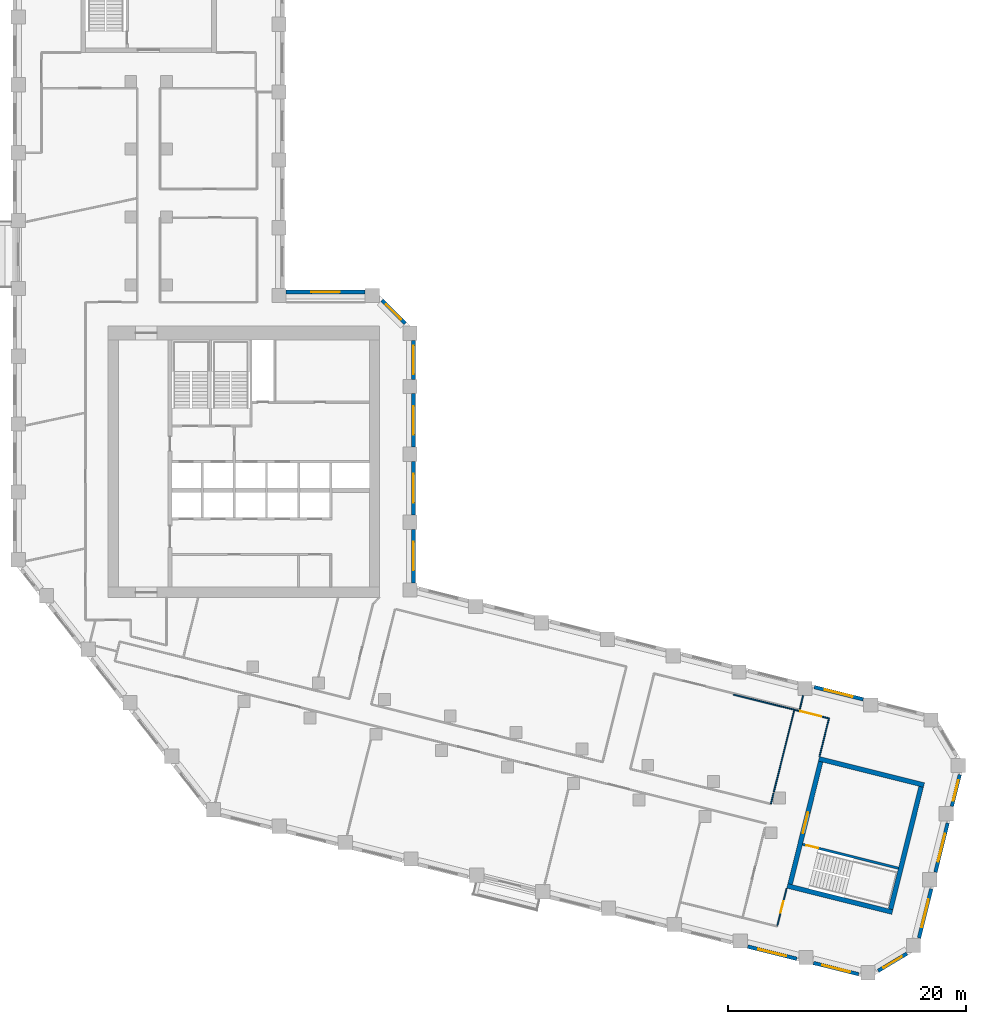
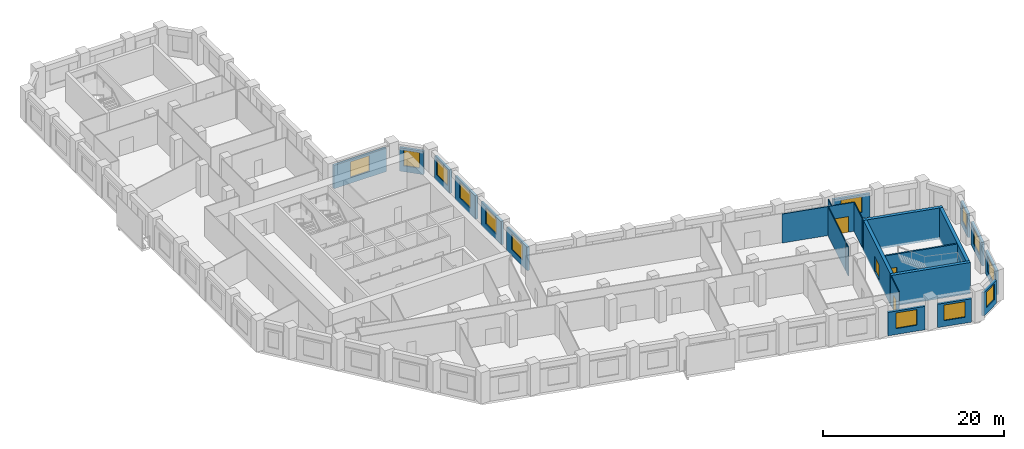
# One storey, part 6 of 10: 25 walls, 13 windows, 4 doors, 17 openings.
"""IFC4 building model written with IfcOpenShell, lengths in metres."""

from ifc_helpers import new_model, si_unit, direction, frame, frame_2d, origin, place, context, subcontext, project, spatial, rectangle, extrude, material, layer, layer_set, type_object, element, fill, save


model = new_model("IFC4")

# Units and contexts
model_context = context("Model", 3, precision=1e-05, world=origin(), true_north=direction((0.0, 1.0)))
body_context = subcontext(model_context, "Body", "Model", "MODEL_VIEW")
ifc_project = project(units=[si_unit("LENGTHUNIT", "METRE"), si_unit("AREAUNIT", "SQUARE_METRE"), si_unit("VOLUMEUNIT", "CUBIC_METRE"), si_unit("PLANEANGLEUNIT", "RADIAN"), si_unit("MASSUNIT", "GRAM", prefix="KILO")], contexts=[model_context])

# Site, building, storey
site_placement = place(None, origin())
site = spatial("IfcSite", under=ifc_project, at=site_placement, CompositionType="ELEMENT")
building_placement = place(site_placement, origin())
building = spatial("IfcBuilding", under=site, at=building_placement, Name="Meshkara Civic Tower", CompositionType="ELEMENT")
storey_placement = place(building_placement, frame((0.0, 0.0, 182.39990234375)))
storey = spatial("IfcBuildingStorey", under=building, at=storey_placement, Name="L41", CompositionType="ELEMENT", Elevation=182.39990234375)

# Wall
ifc_material_1 = material(Name="Corridor wall 100")
ifc_layer_1 = layer(ifc_material_1, 0.10009765625)
ifc_layer_set_1 = layer_set([ifc_layer_1], Name="Corridor wall 100")
wall_type_1 = type_object("IfcWallType", Name="Corridor wall 100", PredefinedType="PARTITIONING", material=ifc_layer_set_1)
wall_1_placement = place(storey_placement, frame((63.89501953125, -2.37109375, 0.0), z_axis=(0.0, 0.0, 1.0), x_axis=(-0.241969389514, -0.970283883478, 0.0)))
element("IfcWall", 1, at=wall_1_placement, inside=storey, type_object=wall_type_1, Name="L41-W037", PredefinedType="PARTITIONING", context=body_context, shape_type="SweptSolid", body=[
    extrude(rectangle(XDim=0.9130859375, YDim=0.10009765625, at=frame_2d((0.45654296875, 0.0))), origin(), (0.0, 0.0, 1.0), 3.900146484375),
])

# Wall, opening, door
wall_2_placement = place(storey_placement, frame((64.202880859375, -13.533935546875, 0.0), z_axis=(0.0, 0.0, 1.0), x_axis=(0.241856645367, 0.970311992656, 0.0)))
wall_2 = element("IfcWall", 2, at=wall_2_placement, inside=storey, type_object=wall_type_1, Name="L41-W038", PredefinedType="PARTITIONING", context=body_context, shape_type="SweptSolid", body=[
    extrude(rectangle(XDim=3.2998046875, YDim=0.10009765625, at=frame_2d((1.64990234375, 0.0))), origin(), (0.0, 0.0, 1.0), 3.900146484375),
])
opening_1_placement = place(wall_2_placement, frame((1.179931640625, 0.0, 0.0)))
opening_1 = element("IfcOpeningElement", 3, at=opening_1_placement, cuts=wall_2, Name="Opening L41-D002", PredefinedType="OPENING", context=body_context, shape_type="SweptSolid", body=[
    extrude(rectangle(XDim=1.0, YDim=2.10009765625, at=frame_2d((0.5, 1.050048828125))), frame((0.0, 0.06005859375, 0.0), z_axis=(0.0, -1.0, 0.0), x_axis=(1.0, 0.0, 0.0)), (0.0, 0.0, 1.0), 0.1201171875),
])
ifc_material_2 = material(Name="Door 1000 x 2100")
door_type_1 = type_object("IfcDoorType", Name="Door 1000 x 2100", OperationType="SINGLE_SWING_LEFT", PredefinedType="DOOR", material=ifc_material_2)
door_1_placement = place(opening_1_placement, origin())
door_1 = element("IfcDoor", 4, at=door_1_placement, inside=storey, type_object=door_type_1, Name="L41-D002", OperationType="SINGLE_SWING_LEFT", OverallHeight=2.10009765625, OverallWidth=1.0, PredefinedType="DOOR", context=body_context, shape_type="SweptSolid", body=[
    extrude(rectangle(XDim=1.0, YDim=2.10009765625, at=frame_2d((0.5, 1.050048828125))), frame((0.0, 0.02490234375, 0.0), z_axis=(0.0, -1.0, 0.0), x_axis=(1.0, 0.0, 0.0)), (0.0, 0.0, 1.0), 0.050048828125),
])
fill(opening_1, door_1)

# Walls
wall_3_placement = place(storey_placement, frame((65.64697265625, 4.656982421875, 0.0), z_axis=(0.0, 0.0, 1.0), x_axis=(-0.24192324031, -0.970295391001, 0.0)))
element("IfcWall", 5, at=wall_3_placement, inside=storey, type_object=wall_type_1, Name="L41-W039", PredefinedType="PARTITIONING", context=body_context, shape_type="SweptSolid", body=[
    extrude(rectangle(XDim=7.129638671875, YDim=0.10009765625, at=frame_2d((3.56494140625, 0.0))), origin(), (0.0, 0.0, 1.0), 3.900146484375),
])
wall_4_placement = place(storey_placement, frame((66.0869140625, 4.64990234375, 0.0), z_axis=(0.0, 0.0, 1.0), x_axis=(0.241275920452, 0.970456557611, 0.0)))
element("IfcWall", 6, at=wall_4_placement, inside=storey, type_object=wall_type_1, Name="L41-W040", PredefinedType="PARTITIONING", context=body_context, shape_type="SweptSolid", body=[
    extrude(rectangle(XDim=1.2314453125, YDim=0.10009765625, at=frame_2d((0.61572265625, 0.0))), origin(), (0.0, 0.0, 1.0), 3.900146484375),
])
wall_5_placement = place(storey_placement, frame((67.759033203125, 0.72900390625, 0.0), z_axis=(0.0, 0.0, 1.0), x_axis=(0.241786986316, 0.970329352977, 0.0)))
element("IfcWall", 7, at=wall_5_placement, inside=storey, type_object=wall_type_1, Name="L41-W041", PredefinedType="PARTITIONING", context=body_context, shape_type="SweptSolid", body=[
    extrude(rectangle(XDim=3.2998046875, YDim=0.10009765625, at=frame_2d((1.64990234375, 0.0))), origin(), (0.0, 0.0, 1.0), 3.900146484375),
])

# Wall, opening, door
wall_6_placement = place(storey_placement, frame((68.556884765625, 3.930908203125, 0.0), z_axis=(0.0, 0.0, 1.0), x_axis=(-0.970252534748, 0.242095061527, 0.0)))
wall_6 = element("IfcWall", 8, at=wall_6_placement, inside=storey, type_object=wall_type_1, Name="L41-W042", PredefinedType="PARTITIONING", context=body_context, shape_type="SweptSolid", body=[
    extrude(rectangle(XDim=2.9990234375, YDim=0.10009765625, at=frame_2d((1.49951171875, 0.0))), origin(), (0.0, 0.0, 1.0), 3.900146484375),
])
opening_2_placement = place(wall_6_placement, frame((0.679931640625, 0.0, 0.0)))
opening_2 = element("IfcOpeningElement", 9, at=opening_2_placement, cuts=wall_6, Name="Opening L41-D008", PredefinedType="OPENING", context=body_context, shape_type="SweptSolid", body=[
    extrude(rectangle(XDim=1.800048828125, YDim=2.10009765625, at=frame_2d((0.89990234375, 1.050048828125))), frame((0.0, 0.06005859375, 0.0), z_axis=(0.0, -1.0, 0.0), x_axis=(1.0, 0.0, 0.0)), (0.0, 0.0, 1.0), 0.1201171875),
])
ifc_material_3 = material(Name="Door pair 1800 x 2100")
door_type_2 = type_object("IfcDoorType", Name="Door pair 1800 x 2100", OperationType="SINGLE_SWING_LEFT", PredefinedType="DOOR", material=ifc_material_3)
door_2_placement = place(opening_2_placement, origin())
door_2 = element("IfcDoor", 10, at=door_2_placement, inside=storey, type_object=door_type_2, Name="L41-D008", OperationType="DOUBLE_DOOR_SINGLE_SWING", OverallHeight=2.10009765625, OverallWidth=1.800048828125, PredefinedType="DOOR", context=body_context, shape_type="SweptSolid", body=[
    extrude(rectangle(XDim=1.800048828125, YDim=2.10009765625, at=frame_2d((0.89990234375, 1.050048828125))), frame((0.0, 0.02490234375, 0.0), z_axis=(0.0, -1.0, 0.0), x_axis=(1.0, 0.0, 0.0)), (0.0, 0.0, 1.0), 0.050048828125),
])
fill(opening_2, door_2)

# Wall, opening, window
ifc_material_4 = material(Name="Insulated infill panel with bronze anodised aluminium cladding", Category="aluminium")
ifc_layer_2 = layer(ifc_material_4, 0.300048828125)
ifc_layer_set_2 = layer_set([ifc_layer_2], Name="EXTERNAL INFILL WALL 300")
wall_type_2 = type_object("IfcWallType", Name="EXTERNAL INFILL WALL 300", PredefinedType="SOLIDWALL", material=ifc_layer_set_2)
wall_7_placement = place(storey_placement, frame((71.431884765625, 5.532958984375, 0.0), z_axis=(0.0, 0.0, 1.0), x_axis=(-0.970301260502, 0.241899697951, 0.0)))
wall_7 = element("IfcWall", 11, at=wall_7_placement, inside=storey, type_object=wall_type_2, Name="External wall", PredefinedType="SOLIDWALL", context=body_context, shape_type="SweptSolid", body=[
    extrude(rectangle(XDim=4.24609375, YDim=0.300048828125, at=frame_2d((2.123046875, 0.0))), origin(), (0.0, 0.0, 1.0), 3.150146484375),
])
opening_3_placement = place(wall_7_placement, frame((0.923095703125, 0.0, 0.800048828125)))
opening_3 = element("IfcOpeningElement", 12, at=opening_3_placement, cuts=wall_7, Name="Opening W7", PredefinedType="OPENING", context=body_context, shape_type="SweptSolid", body=[
    extrude(rectangle(XDim=2.39990234375, YDim=2.10009765625, at=frame_2d((1.199951171875, 1.050048828125))), frame((0.0, 0.159912109375, 0.0), z_axis=(0.0, -1.0, 0.0), x_axis=(1.0, 0.0, 0.0)), (0.0, 0.0, 1.0), 0.320068359375),
])
ifc_material_5 = material(Name="Tinted double glazing", Category="glass")
window_type_1 = type_object("IfcWindowType", Name="WINDOW 2400x2100", PartitioningType="DOUBLE_PANEL_VERTICAL", PredefinedType="WINDOW", material=ifc_material_5)
window_1_placement = place(opening_3_placement, origin())
window_1 = element("IfcWindow", 13, at=window_1_placement, inside=storey, type_object=window_type_1, Name="Window", OverallHeight=2.10009765625, OverallWidth=2.39990234375, PartitioningType="DOUBLE_PANEL_VERTICAL", PredefinedType="WINDOW", context=body_context, shape_type="SweptSolid", body=[
    extrude(rectangle(XDim=2.39990234375, YDim=2.10009765625, at=frame_2d((1.199951171875, 1.050048828125))), frame((0.0, 0.030029296875, 0.0), z_axis=(0.0, -1.0, 0.0), x_axis=(1.0, 0.0, 0.0)), (0.0, 0.0, 1.0), 0.06005859375),
])
fill(opening_3, window_1)

wall_8_placement = place(storey_placement, frame((33.64990234375, 15.319091796875, 0.0), z_axis=(0.0, 0.0, 1.0), x_axis=(0.0, 1.0, 0.0)))
wall_8 = element("IfcWall", 14, at=wall_8_placement, inside=storey, type_object=wall_type_2, Name="External wall", PredefinedType="SOLIDWALL", context=body_context, shape_type="SweptSolid", body=[
    extrude(rectangle(XDim=4.5, YDim=0.300048828125, at=frame_2d((2.25, 0.0))), origin(), (0.0, 0.0, 1.0), 3.150146484375),
])
opening_4_placement = place(wall_8_placement, frame((1.050048828125, 0.0, 0.800048828125)))
opening_4 = element("IfcOpeningElement", 15, at=opening_4_placement, cuts=wall_8, Name="Opening W7", PredefinedType="OPENING", context=body_context, shape_type="SweptSolid", body=[
    extrude(rectangle(XDim=2.39990234375, YDim=2.10009765625, at=frame_2d((1.199951171875, 1.050048828125))), frame((0.0, 0.159912109375, 0.0), z_axis=(0.0, -1.0, 0.0), x_axis=(1.0, 0.0, 0.0)), (0.0, 0.0, 1.0), 0.320068359375),
])
window_2_placement = place(opening_4_placement, origin())
window_2 = element("IfcWindow", 16, at=window_2_placement, inside=storey, type_object=window_type_1, Name="Window", OverallHeight=2.10009765625, OverallWidth=2.39990234375, PartitioningType="DOUBLE_PANEL_VERTICAL", PredefinedType="WINDOW", context=body_context, shape_type="SweptSolid", body=[
    extrude(rectangle(XDim=2.39990234375, YDim=2.10009765625, at=frame_2d((1.199951171875, 1.050048828125))), frame((0.0, 0.030029296875, 0.0), z_axis=(0.0, -1.0, 0.0), x_axis=(1.0, 0.0, 0.0)), (0.0, 0.0, 1.0), 0.06005859375),
])
fill(opening_4, window_2)

wall_9_placement = place(storey_placement, frame((33.64990234375, 21.01904296875, 0.0), z_axis=(0.0, 0.0, 1.0), x_axis=(0.0, 1.0, 0.0)))
wall_9 = element("IfcWall", 17, at=wall_9_placement, inside=storey, type_object=wall_type_2, Name="External wall", PredefinedType="SOLIDWALL", context=body_context, shape_type="SweptSolid", body=[
    extrude(rectangle(XDim=4.5, YDim=0.300048828125, at=frame_2d((2.25, 0.0))), origin(), (0.0, 0.0, 1.0), 3.150146484375),
])
opening_5_placement = place(wall_9_placement, frame((1.050048828125, 0.0, 0.800048828125)))
opening_5 = element("IfcOpeningElement", 18, at=opening_5_placement, cuts=wall_9, Name="Opening W7", PredefinedType="OPENING", context=body_context, shape_type="SweptSolid", body=[
    extrude(rectangle(XDim=2.39990234375, YDim=2.10009765625, at=frame_2d((1.199951171875, 1.050048828125))), frame((0.0, 0.159912109375, 0.0), z_axis=(0.0, -1.0, 0.0), x_axis=(1.0, 0.0, 0.0)), (0.0, 0.0, 1.0), 0.320068359375),
])
window_3_placement = place(opening_5_placement, origin())
window_3 = element("IfcWindow", 19, at=window_3_placement, inside=storey, type_object=window_type_1, Name="Window", OverallHeight=2.10009765625, OverallWidth=2.39990234375, PartitioningType="DOUBLE_PANEL_VERTICAL", PredefinedType="WINDOW", context=body_context, shape_type="SweptSolid", body=[
    extrude(rectangle(XDim=2.39990234375, YDim=2.10009765625, at=frame_2d((1.199951171875, 1.050048828125))), frame((0.0, 0.030029296875, 0.0), z_axis=(0.0, -1.0, 0.0), x_axis=(1.0, 0.0, 0.0)), (0.0, 0.0, 1.0), 0.06005859375),
])
fill(opening_5, window_3)

wall_10_placement = place(storey_placement, frame((33.64990234375, 26.718994140625, 0.0), z_axis=(0.0, 0.0, 1.0), x_axis=(0.0, 1.0, 0.0)))
wall_10 = element("IfcWall", 20, at=wall_10_placement, inside=storey, type_object=wall_type_2, Name="External wall", PredefinedType="SOLIDWALL", context=body_context, shape_type="SweptSolid", body=[
    extrude(rectangle(XDim=4.5, YDim=0.300048828125, at=frame_2d((2.25, 0.0))), origin(), (0.0, 0.0, 1.0), 3.150146484375),
])
opening_6_placement = place(wall_10_placement, frame((1.050048828125, 0.0, 0.800048828125)))
opening_6 = element("IfcOpeningElement", 21, at=opening_6_placement, cuts=wall_10, Name="Opening W7", PredefinedType="OPENING", context=body_context, shape_type="SweptSolid", body=[
    extrude(rectangle(XDim=2.39990234375, YDim=2.10009765625, at=frame_2d((1.199951171875, 1.050048828125))), frame((0.0, 0.159912109375, 0.0), z_axis=(0.0, -1.0, 0.0), x_axis=(1.0, 0.0, 0.0)), (0.0, 0.0, 1.0), 0.320068359375),
])
window_4_placement = place(opening_6_placement, origin())
window_4 = element("IfcWindow", 22, at=window_4_placement, inside=storey, type_object=window_type_1, Name="Window", OverallHeight=2.10009765625, OverallWidth=2.39990234375, PartitioningType="DOUBLE_PANEL_VERTICAL", PredefinedType="WINDOW", context=body_context, shape_type="SweptSolid", body=[
    extrude(rectangle(XDim=2.39990234375, YDim=2.10009765625, at=frame_2d((1.199951171875, 1.050048828125))), frame((0.0, 0.030029296875, 0.0), z_axis=(0.0, -1.0, 0.0), x_axis=(1.0, 0.0, 0.0)), (0.0, 0.0, 1.0), 0.06005859375),
])
fill(opening_6, window_4)

wall_11_placement = place(storey_placement, frame((33.64990234375, 32.4189453125, 0.0), z_axis=(0.0, 0.0, 1.0), x_axis=(0.0, 1.0, 0.0)))
wall_11 = element("IfcWall", 23, at=wall_11_placement, inside=storey, type_object=wall_type_2, Name="External wall", PredefinedType="SOLIDWALL", context=body_context, shape_type="SweptSolid", body=[
    extrude(rectangle(XDim=3.275146484375, YDim=0.300048828125, at=frame_2d((1.6376953125, 0.0))), origin(), (0.0, 0.0, 1.0), 3.150146484375),
])
opening_7_placement = place(wall_11_placement, frame((0.43798828125, 0.0, 0.800048828125)))
opening_7 = element("IfcOpeningElement", 24, at=opening_7_placement, cuts=wall_11, Name="Opening W7", PredefinedType="OPENING", context=body_context, shape_type="SweptSolid", body=[
    extrude(rectangle(XDim=2.39990234375, YDim=2.10009765625, at=frame_2d((1.199951171875, 1.050048828125))), frame((0.0, 0.159912109375, 0.0), z_axis=(0.0, -1.0, 0.0), x_axis=(1.0, 0.0, 0.0)), (0.0, 0.0, 1.0), 0.320068359375),
])
window_5_placement = place(opening_7_placement, origin())
window_5 = element("IfcWindow", 25, at=window_5_placement, inside=storey, type_object=window_type_1, Name="Window", OverallHeight=2.10009765625, OverallWidth=2.39990234375, PartitioningType="DOUBLE_PANEL_VERTICAL", PredefinedType="WINDOW", context=body_context, shape_type="SweptSolid", body=[
    extrude(rectangle(XDim=2.39990234375, YDim=2.10009765625, at=frame_2d((1.199951171875, 1.050048828125))), frame((0.0, 0.030029296875, 0.0), z_axis=(0.0, -1.0, 0.0), x_axis=(1.0, 0.0, 0.0)), (0.0, 0.0, 1.0), 0.06005859375),
])
fill(opening_7, window_5)

wall_12_placement = place(storey_placement, frame((32.9619140625, 37.10595703125, 0.0), z_axis=(0.0, 0.0, 1.0), x_axis=(-0.707062649074, 0.707150910545, 0.0)))
wall_12 = element("IfcWall", 26, at=wall_12_placement, inside=storey, type_object=wall_type_2, Name="External wall", PredefinedType="SOLIDWALL", context=body_context, shape_type="SweptSolid", body=[
    extrude(rectangle(XDim=2.76611328125, YDim=0.300048828125, at=frame_2d((1.383056640625, 0.0))), origin(), (0.0, 0.0, 1.0), 3.150146484375),
])
opening_8_placement = place(wall_12_placement, frame((0.48291015625, 0.0, 0.800048828125)))
opening_8 = element("IfcOpeningElement", 27, at=opening_8_placement, cuts=wall_12, Name="Opening W9", PredefinedType="OPENING", context=body_context, shape_type="SweptSolid", body=[
    extrude(rectangle(XDim=1.800048828125, YDim=2.10009765625, at=frame_2d((0.89990234375, 1.050048828125))), frame((0.0, 0.159912109375, 0.0), z_axis=(0.0, -1.0, 0.0), x_axis=(1.0, 0.0, 0.0)), (0.0, 0.0, 1.0), 0.320068359375),
])
ifc_material_6 = material(Name="Tinted double glazing", Category="glass")
window_type_2 = type_object("IfcWindowType", Name="WINDOW 1800x2100", PartitioningType="DOUBLE_PANEL_VERTICAL", PredefinedType="WINDOW", material=ifc_material_6)
window_6_placement = place(opening_8_placement, origin())
window_6 = element("IfcWindow", 28, at=window_6_placement, inside=storey, type_object=window_type_2, Name="Window", OverallHeight=2.10009765625, OverallWidth=1.800048828125, PartitioningType="DOUBLE_PANEL_VERTICAL", PredefinedType="WINDOW", context=body_context, shape_type="SweptSolid", body=[
    extrude(rectangle(XDim=1.800048828125, YDim=2.10009765625, at=frame_2d((0.89990234375, 1.050048828125))), frame((0.0, 0.030029296875, 0.0), z_axis=(0.0, -1.0, 0.0), x_axis=(1.0, 0.0, 0.0)), (0.0, 0.0, 1.0), 0.06005859375),
])
fill(opening_8, window_6)

wall_13_placement = place(storey_placement, frame((29.593994140625, 39.75, 0.0), z_axis=(0.0, 0.0, 1.0), x_axis=(-1.0, 0.0, 0.0)))
wall_13 = element("IfcWall", 29, at=wall_13_placement, inside=storey, type_object=wall_type_2, Name="External wall", PredefinedType="SOLIDWALL", context=body_context, shape_type="SweptSolid", body=[
    extrude(rectangle(XDim=6.64404296875, YDim=0.300048828125, at=frame_2d((3.322021484375, 0.0))), origin(), (0.0, 0.0, 1.0), 3.150146484375),
])
opening_9_placement = place(wall_13_placement, frame((2.1220703125, 0.0, 0.800048828125)))
opening_9 = element("IfcOpeningElement", 30, at=opening_9_placement, cuts=wall_13, Name="Opening W7", PredefinedType="OPENING", context=body_context, shape_type="SweptSolid", body=[
    extrude(rectangle(XDim=2.39990234375, YDim=2.10009765625, at=frame_2d((1.199951171875, 1.050048828125))), frame((0.0, 0.159912109375, 0.0), z_axis=(0.0, -1.0, 0.0), x_axis=(1.0, 0.0, 0.0)), (0.0, 0.0, 1.0), 0.320068359375),
])
window_7_placement = place(opening_9_placement, origin())
window_7 = element("IfcWindow", 31, at=window_7_placement, inside=storey, type_object=window_type_1, Name="Window", OverallHeight=2.10009765625, OverallWidth=2.39990234375, PartitioningType="DOUBLE_PANEL_VERTICAL", PredefinedType="WINDOW", context=body_context, shape_type="SweptSolid", body=[
    extrude(rectangle(XDim=2.39990234375, YDim=2.10009765625, at=frame_2d((1.199951171875, 1.050048828125))), frame((0.0, 0.030029296875, 0.0), z_axis=(0.0, -1.0, 0.0), x_axis=(1.0, 0.0, 0.0)), (0.0, 0.0, 1.0), 0.06005859375),
])
fill(opening_9, window_7)

wall_14_placement = place(storey_placement, frame((61.72998046875, -15.236083984375, 0.0), z_axis=(0.0, 0.0, 1.0), x_axis=(0.970304663212, -0.241886048688, 0.0)))
wall_14 = element("IfcWall", 32, at=wall_14_placement, inside=storey, type_object=wall_type_2, Name="External wall", PredefinedType="SOLIDWALL", context=body_context, shape_type="SweptSolid", body=[
    extrude(rectangle(XDim=4.2451171875, YDim=0.300048828125, at=frame_2d((2.12255859375, 0.0))), origin(), (0.0, 0.0, 1.0), 3.150146484375),
])
opening_10_placement = place(wall_14_placement, frame((0.922119140625, 0.0, 0.800048828125)))
opening_10 = element("IfcOpeningElement", 33, at=opening_10_placement, cuts=wall_14, Name="Opening W7", PredefinedType="OPENING", context=body_context, shape_type="SweptSolid", body=[
    extrude(rectangle(XDim=2.39990234375, YDim=2.10009765625, at=frame_2d((1.199951171875, 1.050048828125))), frame((0.0, 0.159912109375, 0.0), z_axis=(0.0, -1.0, 0.0), x_axis=(1.0, 0.0, 0.0)), (0.0, 0.0, 1.0), 0.320068359375),
])
window_8_placement = place(opening_10_placement, origin())
window_8 = element("IfcWindow", 34, at=window_8_placement, inside=storey, type_object=window_type_1, Name="Window", OverallHeight=2.10009765625, OverallWidth=2.39990234375, PartitioningType="DOUBLE_PANEL_VERTICAL", PredefinedType="WINDOW", context=body_context, shape_type="SweptSolid", body=[
    extrude(rectangle(XDim=2.39990234375, YDim=2.10009765625, at=frame_2d((1.199951171875, 1.050048828125))), frame((0.0, 0.030029296875, 0.0), z_axis=(0.0, -1.0, 0.0), x_axis=(1.0, 0.0, 0.0)), (0.0, 0.0, 1.0), 0.06005859375),
])
fill(opening_10, window_8)

wall_15_placement = place(storey_placement, frame((67.260009765625, -16.614990234375, 0.0), z_axis=(0.0, 0.0, 1.0), x_axis=(0.97033344074, -0.241770580885, 0.0)))
wall_15 = element("IfcWall", 35, at=wall_15_placement, inside=storey, type_object=wall_type_2, Name="External wall", PredefinedType="SOLIDWALL", context=body_context, shape_type="SweptSolid", body=[
    extrude(rectangle(XDim=3.905029296875, YDim=0.300048828125, at=frame_2d((1.95263671875, 0.0))), origin(), (0.0, 0.0, 1.0), 3.150146484375),
])
opening_11_placement = place(wall_15_placement, frame((0.751953125, 0.0, 0.800048828125)))
opening_11 = element("IfcOpeningElement", 36, at=opening_11_placement, cuts=wall_15, Name="Opening W7", PredefinedType="OPENING", context=body_context, shape_type="SweptSolid", body=[
    extrude(rectangle(XDim=2.39990234375, YDim=2.10009765625, at=frame_2d((1.199951171875, 1.050048828125))), frame((0.0, 0.159912109375, 0.0), z_axis=(0.0, -1.0, 0.0), x_axis=(1.0, 0.0, 0.0)), (0.0, 0.0, 1.0), 0.320068359375),
])
window_9_placement = place(opening_11_placement, origin())
window_9 = element("IfcWindow", 37, at=window_9_placement, inside=storey, type_object=window_type_1, Name="Window", OverallHeight=2.10009765625, OverallWidth=2.39990234375, PartitioningType="DOUBLE_PANEL_VERTICAL", PredefinedType="WINDOW", context=body_context, shape_type="SweptSolid", body=[
    extrude(rectangle(XDim=2.39990234375, YDim=2.10009765625, at=frame_2d((1.199951171875, 1.050048828125))), frame((0.0, 0.030029296875, 0.0), z_axis=(0.0, -1.0, 0.0), x_axis=(1.0, 0.0, 0.0)), (0.0, 0.0, 1.0), 0.06005859375),
])
fill(opening_11, window_9)

wall_16_placement = place(storey_placement, frame((72.68701171875, -17.277099609375, 0.0), z_axis=(0.0, 0.0, 1.0), x_axis=(0.857309341171, 0.514801606, 0.0)))
wall_16 = element("IfcWall", 38, at=wall_16_placement, inside=storey, type_object=wall_type_2, Name="External wall", PredefinedType="SOLIDWALL", context=body_context, shape_type="SweptSolid", body=[
    extrude(rectangle(XDim=2.81689453125, YDim=0.300048828125, at=frame_2d((1.408447265625, 0.0))), origin(), (0.0, 0.0, 1.0), 3.150146484375),
])
opening_12_placement = place(wall_16_placement, frame((0.508056640625, 0.0, 0.800048828125)))
opening_12 = element("IfcOpeningElement", 39, at=opening_12_placement, cuts=wall_16, Name="Opening W9", PredefinedType="OPENING", context=body_context, shape_type="SweptSolid", body=[
    extrude(rectangle(XDim=1.800048828125, YDim=2.10009765625, at=frame_2d((0.89990234375, 1.050048828125))), frame((0.0, 0.159912109375, 0.0), z_axis=(0.0, -1.0, 0.0), x_axis=(1.0, 0.0, 0.0)), (0.0, 0.0, 1.0), 0.320068359375),
])
window_10_placement = place(opening_12_placement, origin())
window_10 = element("IfcWindow", 40, at=window_10_placement, inside=storey, type_object=window_type_2, Name="Window", OverallHeight=2.10009765625, OverallWidth=1.800048828125, PartitioningType="DOUBLE_PANEL_VERTICAL", PredefinedType="WINDOW", context=body_context, shape_type="SweptSolid", body=[
    extrude(rectangle(XDim=1.800048828125, YDim=2.10009765625, at=frame_2d((0.89990234375, 1.050048828125))), frame((0.0, 0.030029296875, 0.0), z_axis=(0.0, -1.0, 0.0), x_axis=(1.0, 0.0, 0.0)), (0.0, 0.0, 1.0), 0.06005859375),
])
fill(opening_12, window_10)

wall_17_placement = place(storey_placement, frame((76.12109375, -14.511962890625, 0.0), z_axis=(0.0, 0.0, 1.0), x_axis=(0.241845562088, 0.970314755169, 0.0)))
wall_17 = element("IfcWall", 41, at=wall_17_placement, inside=storey, type_object=wall_type_2, Name="External wall", PredefinedType="SOLIDWALL", context=body_context, shape_type="SweptSolid", body=[
    extrude(rectangle(XDim=4.245849609375, YDim=0.300048828125, at=frame_2d((2.123046875, 0.0))), origin(), (0.0, 0.0, 1.0), 3.150146484375),
])
opening_13_placement = place(wall_17_placement, frame((0.923095703125, 0.0, 0.800048828125)))
opening_13 = element("IfcOpeningElement", 42, at=opening_13_placement, cuts=wall_17, Name="Opening W7", PredefinedType="OPENING", context=body_context, shape_type="SweptSolid", body=[
    extrude(rectangle(XDim=2.39990234375, YDim=2.10009765625, at=frame_2d((1.199951171875, 1.050048828125))), frame((0.0, 0.159912109375, 0.0), z_axis=(0.0, -1.0, 0.0), x_axis=(1.0, 0.0, 0.0)), (0.0, 0.0, 1.0), 0.320068359375),
])
window_11_placement = place(opening_13_placement, origin())
window_11 = element("IfcWindow", 43, at=window_11_placement, inside=storey, type_object=window_type_1, Name="Window", OverallHeight=2.10009765625, OverallWidth=2.39990234375, PartitioningType="DOUBLE_PANEL_VERTICAL", PredefinedType="WINDOW", context=body_context, shape_type="SweptSolid", body=[
    extrude(rectangle(XDim=2.39990234375, YDim=2.10009765625, at=frame_2d((1.199951171875, 1.050048828125))), frame((0.0, 0.030029296875, 0.0), z_axis=(0.0, -1.0, 0.0), x_axis=(1.0, 0.0, 0.0)), (0.0, 0.0, 1.0), 0.06005859375),
])
fill(opening_13, window_11)

wall_18_placement = place(storey_placement, frame((77.5, -8.98095703125, 0.0), z_axis=(0.0, 0.0, 1.0), x_axis=(0.241682938765, 0.970355273655, 0.0)))
wall_18 = element("IfcWall", 44, at=wall_18_placement, inside=storey, type_object=wall_type_2, Name="External wall", PredefinedType="SOLIDWALL", context=body_context, shape_type="SweptSolid", body=[
    extrude(rectangle(XDim=4.24462890625, YDim=0.300048828125, at=frame_2d((2.122314453125, 0.0))), origin(), (0.0, 0.0, 1.0), 3.150146484375),
])
opening_14_placement = place(wall_18_placement, frame((0.922119140625, 0.0, 0.800048828125)))
opening_14 = element("IfcOpeningElement", 45, at=opening_14_placement, cuts=wall_18, Name="Opening W7", PredefinedType="OPENING", context=body_context, shape_type="SweptSolid", body=[
    extrude(rectangle(XDim=2.39990234375, YDim=2.10009765625, at=frame_2d((1.199951171875, 1.050048828125))), frame((0.0, 0.159912109375, 0.0), z_axis=(0.0, -1.0, 0.0), x_axis=(1.0, 0.0, 0.0)), (0.0, 0.0, 1.0), 0.320068359375),
])
window_12_placement = place(opening_14_placement, origin())
window_12 = element("IfcWindow", 46, at=window_12_placement, inside=storey, type_object=window_type_1, Name="Window", OverallHeight=2.10009765625, OverallWidth=2.39990234375, PartitioningType="DOUBLE_PANEL_VERTICAL", PredefinedType="WINDOW", context=body_context, shape_type="SweptSolid", body=[
    extrude(rectangle(XDim=2.39990234375, YDim=2.10009765625, at=frame_2d((1.199951171875, 1.050048828125))), frame((0.0, 0.030029296875, 0.0), z_axis=(0.0, -1.0, 0.0), x_axis=(1.0, 0.0, 0.0)), (0.0, 0.0, 1.0), 0.06005859375),
])
fill(opening_14, window_12)

wall_19_placement = place(storey_placement, frame((78.8779296875, -3.450927734375, 0.0), z_axis=(0.0, 0.0, 1.0), x_axis=(0.24190501074, 0.970299935988, 0.0)))
wall_19 = element("IfcWall", 47, at=wall_19_placement, inside=storey, type_object=wall_type_2, Name="External wall", PredefinedType="SOLIDWALL", context=body_context, shape_type="SweptSolid", body=[
    extrude(rectangle(XDim=2.73291015625, YDim=0.300048828125, at=frame_2d((1.366455078125, 0.0))), origin(), (0.0, 0.0, 1.0), 3.150146484375),
])
opening_15_placement = place(wall_19_placement, frame((0.466064453125, 0.0, 0.800048828125)))
opening_15 = element("IfcOpeningElement", 48, at=opening_15_placement, cuts=wall_19, Name="Opening W9", PredefinedType="OPENING", context=body_context, shape_type="SweptSolid", body=[
    extrude(rectangle(XDim=1.800048828125, YDim=2.10009765625, at=frame_2d((0.89990234375, 1.050048828125))), frame((0.0, 0.159912109375, 0.0), z_axis=(0.0, -1.0, 0.0), x_axis=(1.0, 0.0, 0.0)), (0.0, 0.0, 1.0), 0.320068359375),
])
window_13_placement = place(opening_15_placement, origin())
window_13 = element("IfcWindow", 49, at=window_13_placement, inside=storey, type_object=window_type_2, Name="Window", OverallHeight=2.10009765625, OverallWidth=1.800048828125, PartitioningType="DOUBLE_PANEL_VERTICAL", PredefinedType="WINDOW", context=body_context, shape_type="SweptSolid", body=[
    extrude(rectangle(XDim=1.800048828125, YDim=2.10009765625, at=frame_2d((0.89990234375, 1.050048828125))), frame((0.0, 0.030029296875, 0.0), z_axis=(0.0, -1.0, 0.0), x_axis=(1.0, 0.0, 0.0)), (0.0, 0.0, 1.0), 0.06005859375),
])
fill(opening_15, window_13)

# Walls
ifc_material_7 = material(Name="Concrete C70", Category="concrete")
ifc_layer_3 = layer(ifc_material_7, 0.39990234375)
ifc_layer_set_3 = layer_set([ifc_layer_3], Name="End core ring wall 400 C70")
wall_type_3 = type_object("IfcWallType", Name="End core ring wall 400 C70", PredefinedType="SHEAR", material=ifc_layer_set_3)
for number, where, z_axis, x_axis, name in (
    (50, (65.050048828125, -10.137939453125, -0.2998046875), (0.0, 0.0, 1.0), (0.970273354879, -0.242011604707, 0.0), "L41-C027"),
    (51, (67.7109375, 0.534912109375, -0.2998046875), (0.0, 0.0, 1.0), (0.970306418893, -0.241879005816, 0.0), "L41-C028"),
):
    element("IfcWall", number, at=place(storey_placement, frame(where, z_axis=z_axis, x_axis=x_axis)), inside=storey, type_object=wall_type_3, Name=name, PredefinedType="SHEAR", context=body_context, shape_type="SweptSolid", body=[
        extrude(rectangle(XDim=9.099365234375, YDim=0.39990234375, at=frame_2d((4.5498046875, 0.0))), origin(), (0.0, 0.0, 1.0), 4.199951171875),
    ])

# Wall, opening, door
wall_20_placement = place(storey_placement, frame((65.2919921875, -9.991943359375, -0.2998046875), z_axis=(0.0, 0.0, 1.0), x_axis=(0.241890652548, 0.970303515509, 0.0)))
wall_20 = element("IfcWall", 52, at=wall_20_placement, inside=storey, type_object=wall_type_3, Name="L41-C029", PredefinedType="SHEAR", context=body_context, shape_type="SweptSolid", body=[
    extrude(rectangle(XDim=10.599609375, YDim=0.39990234375, at=frame_2d((5.2998046875, 0.0))), origin(), (0.0, 0.0, 1.0), 4.199951171875),
])
opening_16_placement = place(wall_20_placement, frame((4.39990234375, 0.0, 0.300048828125)))
opening_16 = element("IfcOpeningElement", 53, at=opening_16_placement, cuts=wall_20, Name="Opening L41-K202", PredefinedType="OPENING", context=body_context, shape_type="SweptSolid", body=[
    extrude(rectangle(XDim=1.800048828125, YDim=2.10009765625, at=frame_2d((0.89990234375, 1.050048828125))), frame((0.0, 0.2099609375, 0.0), z_axis=(0.0, -1.0, 0.0), x_axis=(1.0, 0.0, 0.0)), (0.0, 0.0, 1.0), 0.419921875),
])
ifc_material_8 = material(Name="Fire-rated door leaf in steel frame", Category="steel")
door_type_3 = type_object("IfcDoorType", Name="Core double door 1800 EI 60", OperationType="DOUBLE_DOOR_SINGLE_SWING", PredefinedType="DOOR", material=ifc_material_8)
door_3_placement = place(opening_16_placement, origin())
door_3 = element("IfcDoor", 54, at=door_3_placement, inside=storey, type_object=door_type_3, Name="L41-K202", OperationType="DOUBLE_DOOR_SINGLE_SWING", OverallHeight=2.10009765625, OverallWidth=1.800048828125, PredefinedType="DOOR", context=body_context, shape_type="SweptSolid", body=[
    extrude(rectangle(XDim=1.800048828125, YDim=2.10009765625, at=frame_2d((0.89990234375, 1.050048828125))), frame((0.0, 0.02490234375, 0.0), z_axis=(0.0, -1.0, 0.0), x_axis=(1.0, 0.0, 0.0)), (0.0, 0.0, 1.0), 0.050048828125),
])
fill(opening_16, door_3)

# Walls
wall_21_placement = place(storey_placement, frame((73.73388671875, -12.096923828125, -0.2998046875), z_axis=(0.0, 0.0, 1.0), x_axis=(0.241912337509, 0.970298109326, 0.0)))
element("IfcWall", 55, at=wall_21_placement, inside=storey, type_object=wall_type_3, Name="L41-C030", PredefinedType="SHEAR", context=body_context, shape_type="SweptSolid", body=[
    extrude(rectangle(XDim=10.599853515625, YDim=0.39990234375, at=frame_2d((5.2998046875, 0.0))), origin(), (0.0, 0.0, 1.0), 4.199951171875),
])
ifc_material_9 = material(Name="Partition 100")
ifc_layer_4 = layer(ifc_material_9, 0.10009765625)
ifc_layer_set_4 = layer_set([ifc_layer_4], Name="Partition 100")
wall_type_4 = type_object("IfcWallType", Name="Partition 100", PredefinedType="PARTITIONING", material=ifc_layer_set_4)
wall_22_placement = place(storey_placement, frame((65.65087890625, 4.656005859375, 0.0), z_axis=(0.0, 0.0, 1.0), x_axis=(-0.970313758944, 0.241849559033, 0.0)))
element("IfcWall", 56, at=wall_22_placement, inside=storey, type_object=wall_type_4, Name="L41-W058", PredefinedType="PARTITIONING", context=body_context, shape_type="SweptSolid", body=[
    extrude(rectangle(XDim=5.275390625, YDim=0.10009765625, at=frame_2d((2.6376953125, 0.0))), origin(), (0.0, 0.0, 1.0), 3.900146484375),
])

# Wall, opening, door
ifc_material_10 = material(Name="Concrete C40/50", Category="concrete")
ifc_layer_5 = layer(ifc_material_10, 0.199951171875)
ifc_layer_set_5 = layer_set([ifc_layer_5], Name="Stair enclosure wall 200 C40/50")
wall_type_5 = type_object("IfcWallType", Name="Stair enclosure wall 200 C40/50", PredefinedType="SOLIDWALL", material=ifc_layer_set_5)
wall_23_placement = place(storey_placement, frame((66.3330078125, -6.64501953125, 0.0), z_axis=(0.0, 0.0, 1.0), x_axis=(0.970289402158, -0.241947258837, 0.0)))
wall_23 = element("IfcWall", 57, at=wall_23_placement, inside=storey, type_object=wall_type_5, Name="L41-C031", PredefinedType="SOLIDWALL", context=body_context, shape_type="SweptSolid", body=[
    extrude(rectangle(XDim=8.299560546875, YDim=0.199951171875, at=frame_2d((4.14990234375, 0.0))), origin(), (0.0, 0.0, 1.0), 3.900146484375),
])
opening_17_placement = place(wall_23_placement, frame((0.35009765625, 0.0, 0.0)))
opening_17 = element("IfcOpeningElement", 58, at=opening_17_placement, cuts=wall_23, Name="Opening L41-K201", PredefinedType="OPENING", context=body_context, shape_type="SweptSolid", body=[
    extrude(rectangle(XDim=1.0, YDim=2.10009765625, at=frame_2d((0.5, 1.050048828125))), frame((0.0, 0.10986328125, 0.0), z_axis=(0.0, -1.0, 0.0), x_axis=(1.0, 0.0, 0.0)), (0.0, 0.0, 1.0), 0.219970703125),
])
ifc_material_11 = material(Name="Fire-rated door leaf in steel frame", Category="steel")
door_type_4 = type_object("IfcDoorType", Name="Stair door 1000 EI 120", OperationType="SINGLE_SWING_LEFT", PredefinedType="DOOR", material=ifc_material_11)
door_4_placement = place(opening_17_placement, origin())
door_4 = element("IfcDoor", 59, at=door_4_placement, inside=storey, type_object=door_type_4, Name="L41-K201", OperationType="SINGLE_SWING_LEFT", OverallHeight=2.10009765625, OverallWidth=1.0, PredefinedType="DOOR", context=body_context, shape_type="SweptSolid", body=[
    extrude(rectangle(XDim=1.0, YDim=2.10009765625, at=frame_2d((0.5, 1.050048828125))), frame((0.0, 0.02490234375, 0.0), z_axis=(0.0, -1.0, 0.0), x_axis=(1.0, 0.0, 0.0)), (0.0, 0.0, 1.0), 0.050048828125),
])
fill(opening_17, door_4)

save(model, "model.ifc")
